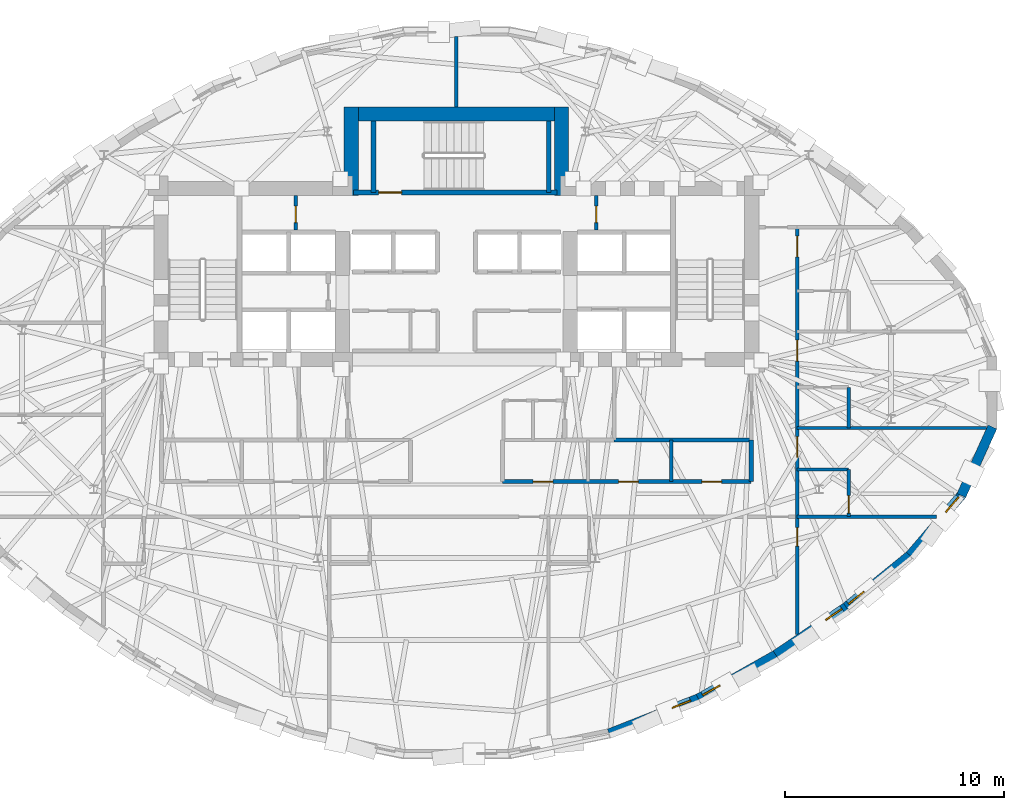
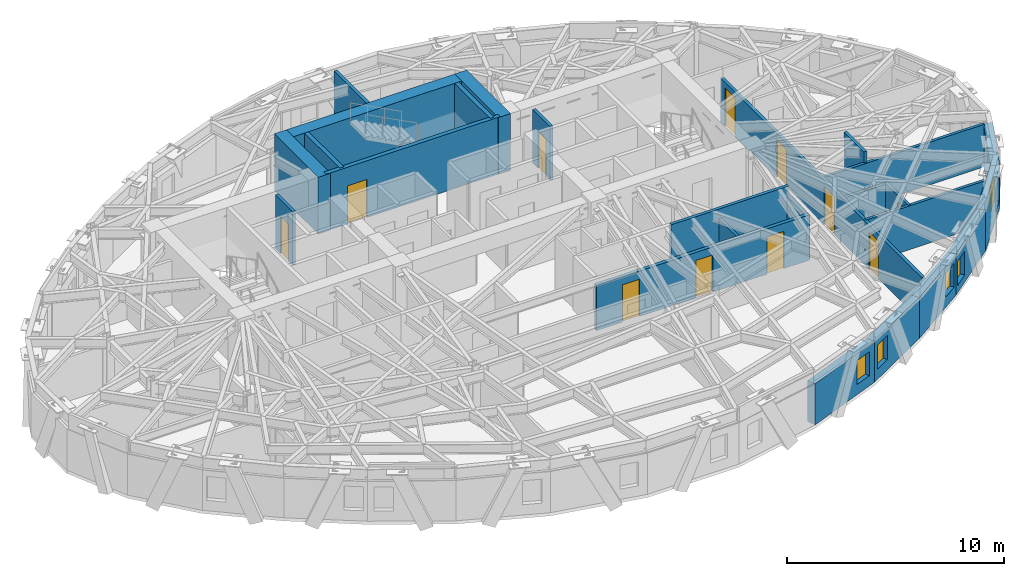
# One storey, part 8 of 14: 25 walls, 11 doors, 5 windows, 16 openings.
"""IFC4 building model written with IfcOpenShell, lengths in metres."""

from ifc_helpers import new_model, si_unit, direction, frame, frame_2d, origin, place, context, subcontext, project, spatial, rectangle, extrude, material, layer, layer_set, type_object, element, fill, save


model = new_model("IFC4")

# Units and contexts
model_context = context("Model", 3, precision=1e-05, world=origin(), true_north=direction((0.0, 1.0)))
body_context = subcontext(model_context, "Body", "Model", "MODEL_VIEW")
ifc_project = project(units=[si_unit("LENGTHUNIT", "METRE"), si_unit("AREAUNIT", "SQUARE_METRE"), si_unit("VOLUMEUNIT", "CUBIC_METRE"), si_unit("PLANEANGLEUNIT", "RADIAN"), si_unit("MASSUNIT", "GRAM", prefix="KILO")], contexts=[model_context])

# Site, building, storey
site_placement = place(None, origin())
site = spatial("IfcSite", under=ifc_project, at=site_placement, CompositionType="ELEMENT")
building_placement = place(site_placement, origin())
building = spatial("IfcBuilding", under=site, at=building_placement, Name="Keldmark Tower", CompositionType="ELEMENT")
storey_placement = place(building_placement, frame((0.0, 0.0, 188.60009765625)))
storey = spatial("IfcBuildingStorey", under=building, at=storey_placement, Name="L52", CompositionType="ELEMENT", Elevation=188.60009765625)

# Wall, openings, doors
ifc_material_1 = material(Name="Heavy Acoustic Plumbing Chase Gypsum Assembly", Category="gypsum")
ifc_layer_1 = layer(ifc_material_1, 0.18994140625)
ifc_layer_set_1 = layer_set([ifc_layer_1], Name="Heavy Acoustic Plumbing Chase Gypsum Assembly")
wall_type_1 = type_object("IfcWallType", Name="Heavy Wet Wall 190 mm", PredefinedType="PLUMBINGWALL", material=ifc_layer_set_1)
wall_1_placement = place(storey_placement, frame((2.10009765625, -4.050048828125, 0.0), z_axis=(0.0, 0.0, 1.0), x_axis=(1.0, 0.0, 0.0)))
wall_1 = element("IfcWall", 1, at=wall_1_placement, inside=storey, type_object=wall_type_1, Name="L52 Heavy Wet Wall 190 mm SPK-E-S", PredefinedType="PLUMBINGWALL", context=body_context, shape_type="SweptSolid", body=[
    extrude(rectangle(XDim=11.349853515625, YDim=0.18994140625, at=frame_2d((5.6748046875, 0.0))), origin(), (0.0, 0.0, 1.0), 2.554931640625),
])
opening_1_placement = place(wall_1_placement, frame((1.39990234375, 0.0, 0.0)))
opening_1 = element("IfcOpeningElement", 2, at=opening_1_placement, cuts=wall_1, Name="Opening D-IN090", PredefinedType="OPENING", context=body_context, shape_type="SweptSolid", body=[
    extrude(rectangle(XDim=0.89990234375, YDim=2.10009765625, at=frame_2d((0.449951171875, 1.050048828125))), frame((0.0, 0.10498046875, 0.0), z_axis=(0.0, -1.0, 0.0), x_axis=(1.0, 0.0, 0.0)), (0.0, 0.0, 1.0), 0.2099609375),
])
opening_2_placement = place(wall_1_placement, frame((5.300048828125, 0.0, 0.0)))
opening_2 = element("IfcOpeningElement", 3, at=opening_2_placement, cuts=wall_1, Name="Opening D-IN090", PredefinedType="OPENING", context=body_context, shape_type="SweptSolid", body=[
    extrude(rectangle(XDim=0.89990234375, YDim=2.10009765625, at=frame_2d((0.449951171875, 1.050048828125))), frame((0.0, 0.10498046875, 0.0), z_axis=(0.0, -1.0, 0.0), x_axis=(1.0, 0.0, 0.0)), (0.0, 0.0, 1.0), 0.2099609375),
])
opening_3_placement = place(wall_1_placement, frame((9.10009765625, 0.0, 0.0)))
opening_3 = element("IfcOpeningElement", 4, at=opening_3_placement, cuts=wall_1, Name="Opening D-IN090", PredefinedType="OPENING", context=body_context, shape_type="SweptSolid", body=[
    extrude(rectangle(XDim=0.89990234375, YDim=2.10009765625, at=frame_2d((0.449951171875, 1.050048828125))), frame((0.0, 0.10498046875, 0.0), z_axis=(0.0, -1.0, 0.0), x_axis=(1.0, 0.0, 0.0)), (0.0, 0.0, 1.0), 0.2099609375),
])
ifc_material_2 = material(Name="Stained American White Oak Veneer", Category="wood")
door_type_1 = type_object("IfcDoorType", Name="Interior Door 900x2100", OperationType="NOTDEFINED", PredefinedType="DOOR", material=ifc_material_2)
door_1_placement = place(opening_1_placement, origin())
door_1 = element("IfcDoor", 5, at=door_1_placement, inside=storey, type_object=door_type_1, Name="L52 Interior Door 900x2100 D-SPKE1-L52", OperationType="SINGLE_SWING_RIGHT", OverallHeight=2.10009765625, OverallWidth=0.89990234375, PredefinedType="DOOR", context=body_context, shape_type="SweptSolid", body=[
    extrude(rectangle(XDim=0.89990234375, YDim=2.10009765625, at=frame_2d((0.449951171875, 1.050048828125))), frame((0.0, 0.02490234375, 0.0), z_axis=(0.0, -1.0, 0.0), x_axis=(1.0, 0.0, 0.0)), (0.0, 0.0, 1.0), 0.050048828125),
])
fill(opening_1, door_1)
door_2_placement = place(opening_2_placement, origin())
door_2 = element("IfcDoor", 6, at=door_2_placement, inside=storey, type_object=door_type_1, Name="L52 Interior Door 900x2100 D-SPKE2-L52", OperationType="SINGLE_SWING_LEFT", OverallHeight=2.10009765625, OverallWidth=0.89990234375, PredefinedType="DOOR", context=body_context, shape_type="SweptSolid", body=[
    extrude(rectangle(XDim=0.89990234375, YDim=2.10009765625, at=frame_2d((0.449951171875, 1.050048828125))), frame((0.0, 0.02490234375, 0.0), z_axis=(0.0, -1.0, 0.0), x_axis=(1.0, 0.0, 0.0)), (0.0, 0.0, 1.0), 0.050048828125),
])
fill(opening_2, door_2)
door_3_placement = place(opening_3_placement, origin())
door_3 = element("IfcDoor", 7, at=door_3_placement, inside=storey, type_object=door_type_1, Name="L52 Interior Door 900x2100 D-SPKE3-L52", OperationType="SINGLE_SWING_RIGHT", OverallHeight=2.10009765625, OverallWidth=0.89990234375, PredefinedType="DOOR", context=body_context, shape_type="SweptSolid", body=[
    extrude(rectangle(XDim=0.89990234375, YDim=2.10009765625, at=frame_2d((0.449951171875, 1.050048828125))), frame((0.0, 0.02490234375, 0.0), z_axis=(0.0, -1.0, 0.0), x_axis=(1.0, 0.0, 0.0)), (0.0, 0.0, 1.0), 0.050048828125),
])
fill(opening_3, door_3)

# Walls
wall_2_placement = place(storey_placement, frame((13.449951171875, -4.050048828125, 0.0), z_axis=(0.0, 0.0, 1.0), x_axis=(0.0, 1.0, 0.0)))
element("IfcWall", 8, at=wall_2_placement, inside=storey, type_object=wall_type_1, Name="L52 Heavy Wet Wall 190 mm SPK-E-E", PredefinedType="PLUMBINGWALL", context=body_context, shape_type="SweptSolid", body=[
    extrude(rectangle(XDim=1.900146484375, YDim=0.18994140625, at=frame_2d((0.9501953125, 0.0))), origin(), (0.0, 0.0, 1.0), 2.472900390625),
])
ifc_material_3 = material(Name="Type X Fire-Rated Gypsum Partition Assembly", Category="gypsum")
ifc_layer_2 = layer(ifc_material_3, 0.1650390625)
ifc_layer_set_2 = layer_set([ifc_layer_2], Name="Type X Fire-Rated Gypsum Partition Assembly")
wall_type_2 = type_object("IfcWallType", Name="Rated Partition 165 mm", PredefinedType="PARTITIONING", material=ifc_layer_set_2)
wall_3_placement = place(storey_placement, frame((7.199951171875, -2.14990234375, 0.0), z_axis=(0.0, 0.0, 1.0), x_axis=(1.0, 0.0, 0.0)))
element("IfcWall", 9, at=wall_3_placement, inside=storey, type_object=wall_type_2, Name="L52 Rated Partition 165 mm FSAE-E-S", PredefinedType="PARTITIONING", context=body_context, shape_type="SweptSolid", body=[
    extrude(rectangle(XDim=6.25, YDim=0.1650390625, at=frame_2d((3.125, 0.0))), origin(), (0.0, 0.0, 1.0), 3.02001953125),
])

# Wall, opening, door
wall_4_placement = place(storey_placement, frame((-7.330078125, 7.419921875, 0.0), z_axis=(0.0, 0.0, 1.0), x_axis=(0.0, 1.0, 0.0)))
wall_4 = element("IfcWall", 10, at=wall_4_placement, inside=storey, type_object=wall_type_2, Name="L52 Rated Partition 165 mm CS-NW-E", PredefinedType="PARTITIONING", context=body_context, shape_type="SweptSolid", body=[
    extrude(rectangle(XDim=1.580078125, YDim=0.1650390625, at=frame_2d((0.7900390625, 0.0))), origin(), (0.0, 0.0, 1.0), 3.02001953125),
])
opening_4_placement = place(wall_4_placement, frame((0.35009765625, 0.0, 0.0)))
opening_4 = element("IfcOpeningElement", 11, at=opening_4_placement, cuts=wall_4, Name="Opening D-RS075", PredefinedType="OPENING", context=body_context, shape_type="SweptSolid", body=[
    extrude(rectangle(XDim=0.75, YDim=2.10009765625, at=frame_2d((0.375, 1.050048828125))), frame((0.0, 0.092529296875, 0.0), z_axis=(0.0, -1.0, 0.0), x_axis=(1.0, 0.0, 0.0)), (0.0, 0.0, 1.0), 0.18505859375),
])
ifc_material_4 = material(Name="Galvanized Fire-Rated Access Leaf", Category="metal")
door_type_2 = type_object("IfcDoorType", Name="Riser Access Door 750x2100", OperationType="NOTDEFINED", PredefinedType="DOOR", material=ifc_material_4)
door_4_placement = place(opening_4_placement, origin())
door_4 = element("IfcDoor", 12, at=door_4_placement, inside=storey, type_object=door_type_2, Name="L52 Riser Access Door 750x2100 D-CSNW1-L52", OperationType="SINGLE_SWING_RIGHT", OverallHeight=2.10009765625, OverallWidth=0.75, PredefinedType="DOOR", context=body_context, shape_type="SweptSolid", body=[
    extrude(rectangle(XDim=0.75, YDim=2.10009765625, at=frame_2d((0.375, 1.050048828125))), frame((0.0, 0.02490234375, 0.0), z_axis=(0.0, -1.0, 0.0), x_axis=(1.0, 0.0, 0.0)), (0.0, 0.0, 1.0), 0.050048828125),
])
fill(opening_4, door_4)

wall_5_placement = place(storey_placement, frame((6.3798828125, 7.419921875, 0.0), z_axis=(0.0, 0.0, 1.0), x_axis=(0.0, 1.0, 0.0)))
wall_5 = element("IfcWall", 13, at=wall_5_placement, inside=storey, type_object=wall_type_2, Name="L52 Rated Partition 165 mm CS-NE-W", PredefinedType="PARTITIONING", context=body_context, shape_type="SweptSolid", body=[
    extrude(rectangle(XDim=1.580078125, YDim=0.1650390625, at=frame_2d((0.7900390625, 0.0))), origin(), (0.0, 0.0, 1.0), 3.02001953125),
])
opening_5_placement = place(wall_5_placement, frame((0.35009765625, 0.0, 0.0)))
opening_5 = element("IfcOpeningElement", 14, at=opening_5_placement, cuts=wall_5, Name="Opening D-RS075", PredefinedType="OPENING", context=body_context, shape_type="SweptSolid", body=[
    extrude(rectangle(XDim=0.75, YDim=2.10009765625, at=frame_2d((0.375, 1.050048828125))), frame((0.0, 0.092529296875, 0.0), z_axis=(0.0, -1.0, 0.0), x_axis=(1.0, 0.0, 0.0)), (0.0, 0.0, 1.0), 0.18505859375),
])
door_5_placement = place(opening_5_placement, origin())
door_5 = element("IfcDoor", 15, at=door_5_placement, inside=storey, type_object=door_type_2, Name="L52 Riser Access Door 750x2100 D-CSNE1-L52", OperationType="SINGLE_SWING_LEFT", OverallHeight=2.10009765625, OverallWidth=0.75, PredefinedType="DOOR", context=body_context, shape_type="SweptSolid", body=[
    extrude(rectangle(XDim=0.75, YDim=2.10009765625, at=frame_2d((0.375, 1.050048828125))), frame((0.0, 0.02490234375, 0.0), z_axis=(0.0, -1.0, 0.0), x_axis=(1.0, 0.0, 0.0)), (0.0, 0.0, 1.0), 0.050048828125),
])
fill(opening_5, door_5)

# Wall, openings, doors
wall_6_placement = place(storey_placement, frame((15.550048828125, -11.01806640625, 0.0), z_axis=(0.0, 0.0, 1.0), x_axis=(0.0, 1.0, 0.0)))
wall_6 = element("IfcWall", 16, at=wall_6_placement, inside=storey, type_object=wall_type_2, Name="L52 Rated Partition 165 mm HCOR-E", PredefinedType="PARTITIONING", context=body_context, shape_type="SweptSolid", body=[
    extrude(rectangle(XDim=18.568115234375, YDim=0.1650390625, at=frame_2d((9.2841796875, 0.0))), origin(), (0.0, 0.0, 1.0), 2.472900390625),
])
opening_6_placement = place(wall_6_placement, frame((4.0185546875, 0.0, 0.0)))
opening_6 = element("IfcOpeningElement", 17, at=opening_6_placement, cuts=wall_6, Name="Opening D-IN085", PredefinedType="OPENING", context=body_context, shape_type="SweptSolid", body=[
    extrude(rectangle(XDim=0.85009765625, YDim=2.10009765625, at=frame_2d((0.425048828125, 1.050048828125))), frame((0.0, 0.092529296875, 0.0), z_axis=(0.0, -1.0, 0.0), x_axis=(1.0, 0.0, 0.0)), (0.0, 0.0, 1.0), 0.18505859375),
])
opening_7_placement = place(wall_6_placement, frame((8.0673828125, 0.0, 0.0)))
opening_7 = element("IfcOpeningElement", 18, at=opening_7_placement, cuts=wall_6, Name="Opening D-HT095", PredefinedType="OPENING", context=body_context, shape_type="SweptSolid", body=[
    extrude(rectangle(XDim=0.949951171875, YDim=2.14990234375, at=frame_2d((0.47509765625, 1.074951171875))), frame((0.0, 0.092529296875, 0.0), z_axis=(0.0, -1.0, 0.0), x_axis=(1.0, 0.0, 0.0)), (0.0, 0.0, 1.0), 0.18505859375),
])
opening_8_placement = place(wall_6_placement, frame((12.467529296875, 0.0, 0.0)))
opening_8 = element("IfcOpeningElement", 19, at=opening_8_placement, cuts=wall_6, Name="Opening D-HT095", PredefinedType="OPENING", context=body_context, shape_type="SweptSolid", body=[
    extrude(rectangle(XDim=0.949951171875, YDim=2.14990234375, at=frame_2d((0.47509765625, 1.074951171875))), frame((0.0, 0.092529296875, 0.0), z_axis=(0.0, -1.0, 0.0), x_axis=(1.0, 0.0, 0.0)), (0.0, 0.0, 1.0), 0.18505859375),
])
opening_9_placement = place(wall_6_placement, frame((17.217529296875, 0.0, 0.0)))
opening_9 = element("IfcOpeningElement", 20, at=opening_9_placement, cuts=wall_6, Name="Opening D-HT095", PredefinedType="OPENING", context=body_context, shape_type="SweptSolid", body=[
    extrude(rectangle(XDim=0.949951171875, YDim=2.14990234375, at=frame_2d((0.47509765625, 1.074951171875))), frame((0.0, 0.092529296875, 0.0), z_axis=(0.0, -1.0, 0.0), x_axis=(1.0, 0.0, 0.0)), (0.0, 0.0, 1.0), 0.18505859375),
])
ifc_material_5 = material(Name="Solid-Core Acoustic White Oak Fire-Rated Assembly", Category="wood")
door_type_3 = type_object("IfcDoorType", Name="Hotel Entry Door 950x2150", OperationType="NOTDEFINED", PredefinedType="DOOR", material=ifc_material_5)
door_6_placement = place(opening_7_placement, origin())
door_6 = element("IfcDoor", 21, at=door_6_placement, inside=storey, type_object=door_type_3, Name="L52 Hotel Entry Door 950x2150 D-HR-4-L52", OperationType="SINGLE_SWING_LEFT", OverallHeight=2.14990234375, OverallWidth=0.949951171875, PredefinedType="DOOR", context=body_context, shape_type="SweptSolid", body=[
    extrude(rectangle(XDim=0.949951171875, YDim=2.14990234375, at=frame_2d((0.47509765625, 1.074951171875))), frame((0.0, 0.02490234375, 0.0), z_axis=(0.0, -1.0, 0.0), x_axis=(1.0, 0.0, 0.0)), (0.0, 0.0, 1.0), 0.050048828125),
])
fill(opening_7, door_6)
door_7_placement = place(opening_8_placement, origin())
door_7 = element("IfcDoor", 22, at=door_7_placement, inside=storey, type_object=door_type_3, Name="L52 Hotel Entry Door 950x2150 D-HR-5-L52", OperationType="SINGLE_SWING_LEFT", OverallHeight=2.14990234375, OverallWidth=0.949951171875, PredefinedType="DOOR", context=body_context, shape_type="SweptSolid", body=[
    extrude(rectangle(XDim=0.949951171875, YDim=2.14990234375, at=frame_2d((0.47509765625, 1.074951171875))), frame((0.0, 0.02490234375, 0.0), z_axis=(0.0, -1.0, 0.0), x_axis=(1.0, 0.0, 0.0)), (0.0, 0.0, 1.0), 0.050048828125),
])
fill(opening_8, door_7)
door_8_placement = place(opening_9_placement, origin())
door_8 = element("IfcDoor", 23, at=door_8_placement, inside=storey, type_object=door_type_3, Name="L52 Hotel Entry Door 950x2150 D-HR-6-L52", OperationType="SINGLE_SWING_LEFT", OverallHeight=2.14990234375, OverallWidth=0.949951171875, PredefinedType="DOOR", context=body_context, shape_type="SweptSolid", body=[
    extrude(rectangle(XDim=0.949951171875, YDim=2.14990234375, at=frame_2d((0.47509765625, 1.074951171875))), frame((0.0, 0.02490234375, 0.0), z_axis=(0.0, -1.0, 0.0), x_axis=(1.0, 0.0, 0.0)), (0.0, 0.0, 1.0), 0.050048828125),
])
fill(opening_9, door_8)
ifc_material_6 = material(Name="Painted Architectural Wood", Category="wood")
door_type_4 = type_object("IfcDoorType", Name="Interior Door 850x2100", OperationType="NOTDEFINED", PredefinedType="DOOR", material=ifc_material_6)
door_9_placement = place(opening_6_placement, origin())
door_9 = element("IfcDoor", 24, at=door_9_placement, inside=storey, type_object=door_type_4, Name="L52 Interior Door 850x2100 D-HKSE-L52", OperationType="SINGLE_SWING_RIGHT", OverallHeight=2.10009765625, OverallWidth=0.85009765625, PredefinedType="DOOR", context=body_context, shape_type="SweptSolid", body=[
    extrude(rectangle(XDim=0.85009765625, YDim=2.10009765625, at=frame_2d((0.425048828125, 1.050048828125))), frame((0.0, 0.02490234375, 0.0), z_axis=(0.0, -1.0, 0.0), x_axis=(1.0, 0.0, 0.0)), (0.0, 0.0, 1.0), 0.050048828125),
])
fill(opening_6, door_9)

# Wall
wall_7_placement = place(storey_placement, frame((0.0, 13.050048828125, 0.0), z_axis=(0.0, 0.0, 1.0), x_axis=(0.0, 1.0, 0.0)))
element("IfcWall", 25, at=wall_7_placement, inside=storey, type_object=wall_type_2, Name="L52 Rated Partition 165 mm HN-DIV", PredefinedType="PARTITIONING", context=body_context, shape_type="SweptSolid", body=[
    extrude(rectangle(XDim=3.21875, YDim=0.1650390625, at=frame_2d((1.609375, 0.0))), origin(), (0.0, 0.0, 1.0), 3.02001953125),
])

# Wall, opening, door
ifc_material_7 = material(Name="Concrete C50/60", Category="concrete")
ifc_layer_3 = layer(ifc_material_7, 0.219970703125)
ifc_layer_set_3 = layer_set([ifc_layer_3], Name="Concrete C50/60")
wall_type_3 = type_object("IfcWallType", Name="Stair Core Shear Wall 220 mm", PredefinedType="SHEAR", material=ifc_layer_set_3)
wall_8_placement = place(storey_placement, frame((-4.699951171875, 9.139892578125, 0.0), z_axis=(0.0, 0.0, 1.0), x_axis=(1.0, 0.0, 0.0)))
wall_8 = element("IfcWall", 26, at=wall_8_placement, inside=storey, type_object=wall_type_3, Name="L52 Central Stair Core South Shear Wall", PredefinedType="SHEAR", context=body_context, shape_type="SweptSolid", body=[
    extrude(rectangle(XDim=9.300048828125, YDim=0.219970703125, at=frame_2d((4.64990234375, 0.0))), origin(), (0.0, 0.0, 1.0), 3.199951171875),
])
opening_10_placement = place(wall_8_placement, frame((1.14990234375, 0.0, 0.0)))
opening_10 = element("IfcOpeningElement", 27, at=opening_10_placement, cuts=wall_8, Name="Opening D-ST105", PredefinedType="OPENING", context=body_context, shape_type="SweptSolid", body=[
    extrude(rectangle(XDim=1.050048828125, YDim=2.14990234375, at=frame_2d((0.52490234375, 1.074951171875))), frame((0.0, 0.119873046875, 0.0), z_axis=(0.0, -1.0, 0.0), x_axis=(1.0, 0.0, 0.0)), (0.0, 0.0, 1.0), 0.239990234375),
])
ifc_material_8 = material(Name="Hollow Metal Fire-Rated Door Assembly", Category="metal")
door_type_5 = type_object("IfcDoorType", Name="Stair Fire Door 1050x2150", OperationType="NOTDEFINED", PredefinedType="DOOR", material=ifc_material_8)
door_10_placement = place(opening_10_placement, origin())
door_10 = element("IfcDoor", 28, at=door_10_placement, inside=storey, type_object=door_type_5, Name="L52 Stair Fire Door 1050x2150 D-ST3-L52", OperationType="SINGLE_SWING_RIGHT", OverallHeight=2.14990234375, OverallWidth=1.050048828125, PredefinedType="DOOR", context=body_context, shape_type="SweptSolid", body=[
    extrude(rectangle(XDim=1.050048828125, YDim=2.14990234375, at=frame_2d((0.52490234375, 1.074951171875))), frame((0.0, 0.02490234375, 0.0), z_axis=(0.0, -1.0, 0.0), x_axis=(1.0, 0.0, 0.0)), (0.0, 0.0, 1.0), 0.050048828125),
])
fill(opening_10, door_10)

# Walls
for number, where, z_axis, x_axis, name in (
    (29, (-3.784912109375, 9.139892578125, 0.0), (0.0, 0.0, 1.0), (0.0, 1.0, 0.0), "L52 Central Stair Core West Shear Wall"),
    (30, (4.215087890625, 9.139892578125, 0.0), (0.0, 0.0, 1.0), (0.0, 1.0, 0.0), "L52 Central Stair Core East Shear Wall"),
):
    element("IfcWall", number, at=place(storey_placement, frame(where, z_axis=z_axis, x_axis=x_axis)), inside=storey, type_object=wall_type_3, Name=name, PredefinedType="SHEAR", context=body_context, shape_type="SweptSolid", body=[
        extrude(rectangle(XDim=3.260009765625, YDim=0.219970703125, at=frame_2d((1.6298828125, 0.0))), origin(), (0.0, 0.0, 1.0), 3.199951171875),
    ])

# Wall, opening, window
ifc_material_9 = material(Name="Ironspot Manganese Brick and Kasota Buff Limestone Spandrel Assembly", Category="masonry")
ifc_layer_4 = layer(ifc_material_9, 0.43994140625)
ifc_layer_set_4 = layer_set([ifc_layer_4], Name="Ironspot Manganese Brick and Kasota Buff Limestone Spandrel Assembly")
wall_type_4 = type_object("IfcWallType", Name="Tower Brick Pier and Spandrel Wall 440 mm", PredefinedType="STANDARD", material=ifc_layer_set_4)
wall_9_placement = place(storey_placement, frame((11.071044921875, -13.93896484375, 0.0), z_axis=(0.0, 0.0, 1.0), x_axis=(-0.930777752543, -0.365585524018, 0.0)))
wall_9 = element("IfcWall", 31, at=wall_9_placement, inside=storey, type_object=wall_type_4, Name="L52 Exterior Brick and Spandrel Wall 26", PredefinedType="STANDARD", context=body_context, shape_type="SweptSolid", body=[
    extrude(rectangle(XDim=4.40673828125, YDim=0.43994140625, at=frame_2d((2.203369140625, 0.0))), origin(), (0.0, 0.0, 1.0), 2.31494140625),
])
opening_11_placement = place(wall_9_placement, frame((0.397216796875, 0.0, 0.580078125)))
opening_11 = element("IfcOpeningElement", 32, at=opening_11_placement, cuts=wall_9, Name="Opening W-09", PredefinedType="OPENING", context=body_context, shape_type="SweptSolid", body=[
    extrude(rectangle(XDim=0.89990234375, YDim=1.35009765625, at=frame_2d((0.449951171875, 0.675048828125))), frame((0.0, 0.22998046875, 0.0), z_axis=(0.0, -1.0, 0.0), x_axis=(1.0, 0.0, 0.0)), (0.0, 0.0, 1.0), 0.4599609375),
])
ifc_material_10 = material(Name="Thermally Broken Anodized Aluminum and Triple Low-E Argon Glazing", Category="aluminium")
window_type = type_object("IfcWindowType", Name="Corner Pier Deep-Set Window 900x1350", PartitioningType="SINGLE_PANEL", PredefinedType="WINDOW", material=ifc_material_10)
window_1_placement = place(opening_11_placement, origin())
window_1 = element("IfcWindow", 33, at=window_1_placement, inside=storey, type_object=window_type, Name="L52 Deep-Set Window 26", OverallHeight=1.35009765625, OverallWidth=0.89990234375, PartitioningType="SINGLE_PANEL", PredefinedType="WINDOW", context=body_context, shape_type="SweptSolid", body=[
    extrude(rectangle(XDim=0.89990234375, YDim=1.35009765625, at=frame_2d((0.449951171875, 0.675048828125))), frame((0.0, -0.010009765625, 0.0), z_axis=(0.0, -1.0, 0.0), x_axis=(1.0, 0.0, 0.0)), (0.0, 0.0, 1.0), 0.06005859375),
])
fill(opening_11, window_1)

wall_10_placement = place(storey_placement, frame((14.586669921875, -11.947509765625, 0.0), z_axis=(0.0, 0.0, 1.0), x_axis=(-0.870346086449, -0.492440544434, 0.0)))
wall_10 = element("IfcWall", 34, at=wall_10_placement, inside=storey, type_object=wall_type_4, Name="L52 Exterior Brick and Spandrel Wall 27", PredefinedType="STANDARD", context=body_context, shape_type="SweptSolid", body=[
    extrude(rectangle(XDim=4.0712890625, YDim=0.43994140625, at=frame_2d((2.03564453125, 0.0))), origin(), (0.0, 0.0, 1.0), 2.31494140625),
])
opening_12_placement = place(wall_10_placement, frame((2.921630859375, 0.0, 0.580078125)))
opening_12 = element("IfcOpeningElement", 35, at=opening_12_placement, cuts=wall_10, Name="Opening W-09", PredefinedType="OPENING", context=body_context, shape_type="SweptSolid", body=[
    extrude(rectangle(XDim=0.89990234375, YDim=1.35009765625, at=frame_2d((0.449951171875, 0.675048828125))), frame((0.0, 0.22998046875, 0.0), z_axis=(0.0, -1.0, 0.0), x_axis=(1.0, 0.0, 0.0)), (0.0, 0.0, 1.0), 0.4599609375),
])
window_2_placement = place(opening_12_placement, origin())
window_2 = element("IfcWindow", 36, at=window_2_placement, inside=storey, type_object=window_type, Name="L52 Deep-Set Window 27", OverallHeight=1.35009765625, OverallWidth=0.89990234375, PartitioningType="SINGLE_PANEL", PredefinedType="WINDOW", context=body_context, shape_type="SweptSolid", body=[
    extrude(rectangle(XDim=0.89990234375, YDim=1.35009765625, at=frame_2d((0.449951171875, 0.675048828125))), frame((0.0, -0.010009765625, 0.0), z_axis=(0.0, -1.0, 0.0), x_axis=(1.0, 0.0, 0.0)), (0.0, 0.0, 1.0), 0.06005859375),
])
fill(opening_12, window_2)

wall_11_placement = place(storey_placement, frame((17.7822265625, -9.780029296875, 0.0), z_axis=(0.0, 0.0, 1.0), x_axis=(-0.82772633423, -0.56113199483, 0.0)))
wall_11 = element("IfcWall", 37, at=wall_11_placement, inside=storey, type_object=wall_type_4, Name="L52 Exterior Brick and Spandrel Wall 28", PredefinedType="STANDARD", context=body_context, shape_type="SweptSolid", body=[
    extrude(rectangle(XDim=3.879150390625, YDim=0.43994140625, at=frame_2d((1.939453125, 0.0))), origin(), (0.0, 0.0, 1.0), 2.31494140625),
])
opening_13_placement = place(wall_11_placement, frame((0.199951171875, 0.0, 0.580078125)))
opening_13 = element("IfcOpeningElement", 38, at=opening_13_placement, cuts=wall_11, Name="Opening W-09", PredefinedType="OPENING", context=body_context, shape_type="SweptSolid", body=[
    extrude(rectangle(XDim=0.89990234375, YDim=1.35009765625, at=frame_2d((0.449951171875, 0.675048828125))), frame((0.0, 0.22998046875, 0.0), z_axis=(0.0, -1.0, 0.0), x_axis=(1.0, 0.0, 0.0)), (0.0, 0.0, 1.0), 0.4599609375),
])
window_3_placement = place(opening_13_placement, origin())
window_3 = element("IfcWindow", 39, at=window_3_placement, inside=storey, type_object=window_type, Name="L52 Deep-Set Window 28", OverallHeight=1.35009765625, OverallWidth=0.89990234375, PartitioningType="SINGLE_PANEL", PredefinedType="WINDOW", context=body_context, shape_type="SweptSolid", body=[
    extrude(rectangle(XDim=0.89990234375, YDim=1.35009765625, at=frame_2d((0.449951171875, 0.675048828125))), frame((0.0, -0.010009765625, 0.0), z_axis=(0.0, -1.0, 0.0), x_axis=(1.0, 0.0, 0.0)), (0.0, 0.0, 1.0), 0.06005859375),
])
fill(opening_13, window_3)

wall_12_placement = place(storey_placement, frame((20.72412109375, -7.38916015625, 0.0), z_axis=(0.0, 0.0, 1.0), x_axis=(-0.776145361002, -0.63055402512, 0.0)))
wall_12 = element("IfcWall", 40, at=wall_12_placement, inside=storey, type_object=wall_type_4, Name="L52 Exterior Brick and Spandrel Wall 29", PredefinedType="STANDARD", context=body_context, shape_type="SweptSolid", body=[
    extrude(rectangle(XDim=3.809814453125, YDim=0.43994140625, at=frame_2d((1.90478515625, 0.0))), origin(), (0.0, 0.0, 1.0), 2.31494140625),
])
opening_14_placement = place(wall_12_placement, frame((2.7099609375, 0.0, 0.419921875)))
opening_14 = element("IfcOpeningElement", 41, at=opening_14_placement, cuts=wall_12, Name="Opening W-09", PredefinedType="OPENING", context=body_context, shape_type="SweptSolid", body=[
    extrude(rectangle(XDim=0.89990234375, YDim=1.35009765625, at=frame_2d((0.449951171875, 0.675048828125))), frame((0.0, 0.22998046875, 0.0), z_axis=(0.0, -1.0, 0.0), x_axis=(1.0, 0.0, 0.0)), (0.0, 0.0, 1.0), 0.4599609375),
])
window_4_placement = place(opening_14_placement, origin())
window_4 = element("IfcWindow", 42, at=window_4_placement, inside=storey, type_object=window_type, Name="L52 Deep-Set Window 29", OverallHeight=1.35009765625, OverallWidth=0.89990234375, PartitioningType="SINGLE_PANEL", PredefinedType="WINDOW", context=body_context, shape_type="SweptSolid", body=[
    extrude(rectangle(XDim=0.89990234375, YDim=1.35009765625, at=frame_2d((0.449951171875, 0.675048828125))), frame((0.0, -0.010009765625, 0.0), z_axis=(0.0, -1.0, 0.0), x_axis=(1.0, 0.0, 0.0)), (0.0, 0.0, 1.0), 0.06005859375),
])
fill(opening_14, window_4)

wall_13_placement = place(storey_placement, frame((23.072021484375, -4.63623046875, 0.0), z_axis=(0.0, 0.0, 1.0), x_axis=(-0.649641806751, -0.760240437573, 0.0)))
wall_13 = element("IfcWall", 43, at=wall_13_placement, inside=storey, type_object=wall_type_4, Name="L52 Exterior Brick and Spandrel Wall 30", PredefinedType="STANDARD", context=body_context, shape_type="SweptSolid", body=[
    extrude(rectangle(XDim=3.65771484375, YDim=0.43994140625, at=frame_2d((1.828857421875, 0.0))), origin(), (0.0, 0.0, 1.0), 2.31494140625),
])
opening_15_placement = place(wall_13_placement, frame((0.199951171875, 0.0, 0.419921875)))
opening_15 = element("IfcOpeningElement", 44, at=opening_15_placement, cuts=wall_13, Name="Opening W-09", PredefinedType="OPENING", context=body_context, shape_type="SweptSolid", body=[
    extrude(rectangle(XDim=0.89990234375, YDim=1.35009765625, at=frame_2d((0.449951171875, 0.675048828125))), frame((0.0, 0.22998046875, 0.0), z_axis=(0.0, -1.0, 0.0), x_axis=(1.0, 0.0, 0.0)), (0.0, 0.0, 1.0), 0.4599609375),
])
window_5_placement = place(opening_15_placement, origin())
window_5 = element("IfcWindow", 45, at=window_5_placement, inside=storey, type_object=window_type, Name="L52 Deep-Set Window 30", OverallHeight=1.35009765625, OverallWidth=0.89990234375, PartitioningType="SINGLE_PANEL", PredefinedType="WINDOW", context=body_context, shape_type="SweptSolid", body=[
    extrude(rectangle(XDim=0.89990234375, YDim=1.35009765625, at=frame_2d((0.449951171875, 0.675048828125))), frame((0.0, -0.010009765625, 0.0), z_axis=(0.0, -1.0, 0.0), x_axis=(1.0, 0.0, 0.0)), (0.0, 0.0, 1.0), 0.06005859375),
])
fill(opening_15, window_5)

# Walls
wall_14_placement = place(storey_placement, frame((24.457763671875, -1.5556640625, 0.0), z_axis=(0.0, 0.0, 1.0), x_axis=(-0.412583132773, -0.91091995178, 0.0)))
element("IfcWall", 46, at=wall_14_placement, inside=storey, type_object=wall_type_4, Name="L52 Exterior Brick and Spandrel Wall 31", PredefinedType="STANDARD", context=body_context, shape_type="SweptSolid", body=[
    extrude(rectangle(XDim=3.439208984375, YDim=0.43994140625, at=frame_2d((1.7197265625, 0.0))), origin(), (0.0, 0.0, 1.0), 2.31494140625),
])
ifc_material_11 = material(Name="Concrete C50/60", Category="concrete")
ifc_layer_5 = layer(ifc_material_11, 0.64990234375)
ifc_layer_set_5 = layer_set([ifc_layer_5], Name="Concrete C50/60")
wall_type_5 = type_object("IfcWallType", Name="Upper-Mid Core Shear Wall 650 mm", PredefinedType="SHEAR", material=ifc_layer_set_5)
wall_15_placement = place(storey_placement, frame((-5.125, 12.72509765625, 0.0), z_axis=(0.0, 0.0, 1.0), x_axis=(1.0, 0.0, 0.0)))
element("IfcWall", 47, at=wall_15_placement, inside=storey, type_object=wall_type_5, Name="L52 North Core Shear Wall", PredefinedType="SHEAR", context=body_context, shape_type="SweptSolid", body=[
    extrude(rectangle(XDim=10.25, YDim=0.64990234375, at=frame_2d((5.125, 0.0))), origin(), (0.0, 0.0, 1.0), 3.199951171875),
])
for number, where, z_axis, x_axis, name in (
    (48, (-4.800048828125, 9.0, 0.0), (0.0, 0.0, 1.0), (0.0, 1.0, 0.0), "L52 North Core West Shear Wall"),
    (49, (4.800048828125, 9.0, 0.0), (0.0, 0.0, 1.0), (0.0, 1.0, 0.0), "L52 North Core East Shear Wall"),
):
    element("IfcWall", number, at=place(storey_placement, frame(where, z_axis=z_axis, x_axis=x_axis)), inside=storey, type_object=wall_type_5, Name=name, PredefinedType="SHEAR", context=body_context, shape_type="SweptSolid", body=[
        extrude(rectangle(XDim=4.050048828125, YDim=0.64990234375, at=frame_2d((2.02490234375, 0.0))), origin(), (0.0, 0.0, 1.0), 3.199951171875),
    ])
ifc_material_12 = material(Name="Moisture-Resistant Gypsum Plumbing Partition", Category="gypsum")
ifc_layer_6 = layer(ifc_material_12, 0.14990234375)
ifc_layer_set_6 = layer_set([ifc_layer_6], Name="Moisture-Resistant Gypsum Plumbing Partition")
wall_type_6 = type_object("IfcWallType", Name="Wet Wall 150 mm", PredefinedType="PLUMBINGWALL", material=ifc_layer_set_6)
wall_16_placement = place(storey_placement, frame((9.800048828125, -4.050048828125, 0.0), z_axis=(0.0, 0.0, 1.0), x_axis=(0.0, 1.0, 0.0)))
element("IfcWall", 50, at=wall_16_placement, inside=storey, type_object=wall_type_6, Name="L52 Wet Wall 150 mm SPK-E-D2", PredefinedType="PLUMBINGWALL", context=body_context, shape_type="SweptSolid", body=[
    extrude(rectangle(XDim=1.900146484375, YDim=0.14990234375, at=frame_2d((0.9501953125, 0.0))), origin(), (0.0, 0.0, 1.0), 2.472900390625),
])
wall_17_placement = place(storey_placement, frame((15.550048828125, -5.64990234375, 0.0), z_axis=(0.0, 0.0, 1.0), x_axis=(1.0, 0.0, 0.0)))
element("IfcWall", 51, at=wall_17_placement, inside=storey, type_object=wall_type_6, Name="L52 Wet Wall 150 mm HE-CAP-S", PredefinedType="PLUMBINGWALL", context=body_context, shape_type="SweptSolid", body=[
    extrude(rectangle(XDim=6.35595703125, YDim=0.14990234375, at=frame_2d((3.177978515625, 0.0))), origin(), (0.0, 0.0, 1.0), 2.472900390625),
])
wall_18_placement = place(storey_placement, frame((15.550048828125, -1.60009765625, 0.0), z_axis=(0.0, 0.0, 1.0), x_axis=(1.0, 0.0, 0.0)))
element("IfcWall", 52, at=wall_18_placement, inside=storey, type_object=wall_type_6, Name="L52 Wet Wall 150 mm HE-DIV-1", PredefinedType="PLUMBINGWALL", context=body_context, shape_type="SweptSolid", body=[
    extrude(rectangle(XDim=8.637451171875, YDim=0.14990234375, at=frame_2d((4.31884765625, 0.0))), origin(), (0.0, 0.0, 1.0), 2.39794921875),
])
wall_19_placement = place(storey_placement, frame((15.550048828125, -3.5, 0.0), z_axis=(0.0, 0.0, 1.0), x_axis=(1.0, 0.0, 0.0)))
element("IfcWall", 53, at=wall_19_placement, inside=storey, type_object=wall_type_6, Name="L52 Wet Wall 150 mm HB-4-N", PredefinedType="PLUMBINGWALL", context=body_context, shape_type="SweptSolid", body=[
    extrude(rectangle(XDim=2.349853515625, YDim=0.14990234375, at=frame_2d((1.1748046875, 0.0))), origin(), (0.0, 0.0, 1.0), 2.39794921875),
])

# Wall, opening, door
wall_20_placement = place(storey_placement, frame((17.89990234375, -5.64990234375, 0.0), z_axis=(0.0, 0.0, 1.0), x_axis=(0.0, 1.0, 0.0)))
wall_20 = element("IfcWall", 54, at=wall_20_placement, inside=storey, type_object=wall_type_6, Name="L52 Wet Wall 150 mm HB-4-IN", PredefinedType="PLUMBINGWALL", context=body_context, shape_type="SweptSolid", body=[
    extrude(rectangle(XDim=2.14990234375, YDim=0.14990234375, at=frame_2d((1.074951171875, 0.0))), origin(), (0.0, 0.0, 1.0), 2.472900390625),
])
opening_16_placement = place(wall_20_placement, frame((0.159912109375, 0.0, 0.0)))
opening_16 = element("IfcOpeningElement", 55, at=opening_16_placement, cuts=wall_20, Name="Opening D-BT080", PredefinedType="OPENING", context=body_context, shape_type="SweptSolid", body=[
    extrude(rectangle(XDim=0.800048828125, YDim=2.10009765625, at=frame_2d((0.39990234375, 1.050048828125))), frame((0.0, 0.0849609375, 0.0), z_axis=(0.0, -1.0, 0.0), x_axis=(1.0, 0.0, 0.0)), (0.0, 0.0, 1.0), 0.169921875),
])
ifc_material_13 = material(Name="Moisture-Sealed Stained Wood", Category="wood")
door_type_6 = type_object("IfcDoorType", Name="Bathroom Door 800x2100", OperationType="NOTDEFINED", PredefinedType="DOOR", material=ifc_material_13)
door_11_placement = place(opening_16_placement, origin())
door_11 = element("IfcDoor", 56, at=door_11_placement, inside=storey, type_object=door_type_6, Name="L52 Bathroom Door 800x2100 D-HB-4-L52", OperationType="SINGLE_SWING_LEFT", OverallHeight=2.10009765625, OverallWidth=0.800048828125, PredefinedType="DOOR", context=body_context, shape_type="SweptSolid", body=[
    extrude(rectangle(XDim=0.800048828125, YDim=2.10009765625, at=frame_2d((0.39990234375, 1.050048828125))), frame((0.0, 0.02490234375, 0.0), z_axis=(0.0, -1.0, 0.0), x_axis=(1.0, 0.0, 0.0)), (0.0, 0.0, 1.0), 0.050048828125),
])
fill(opening_16, door_11)

# Wall
wall_21_placement = place(storey_placement, frame((17.89990234375, -1.60009765625, 0.0), z_axis=(0.0, 0.0, 1.0), x_axis=(0.0, 1.0, 0.0)))
element("IfcWall", 57, at=wall_21_placement, inside=storey, type_object=wall_type_6, Name="L52 Wet Wall 150 mm HB-5-IN", PredefinedType="PLUMBINGWALL", context=body_context, shape_type="SweptSolid", body=[
    extrude(rectangle(XDim=1.85009765625, YDim=0.14990234375, at=frame_2d((0.925048828125, 0.0))), origin(), (0.0, 0.0, 1.0), 3.02001953125),
])

save(model, "model.ifc")
